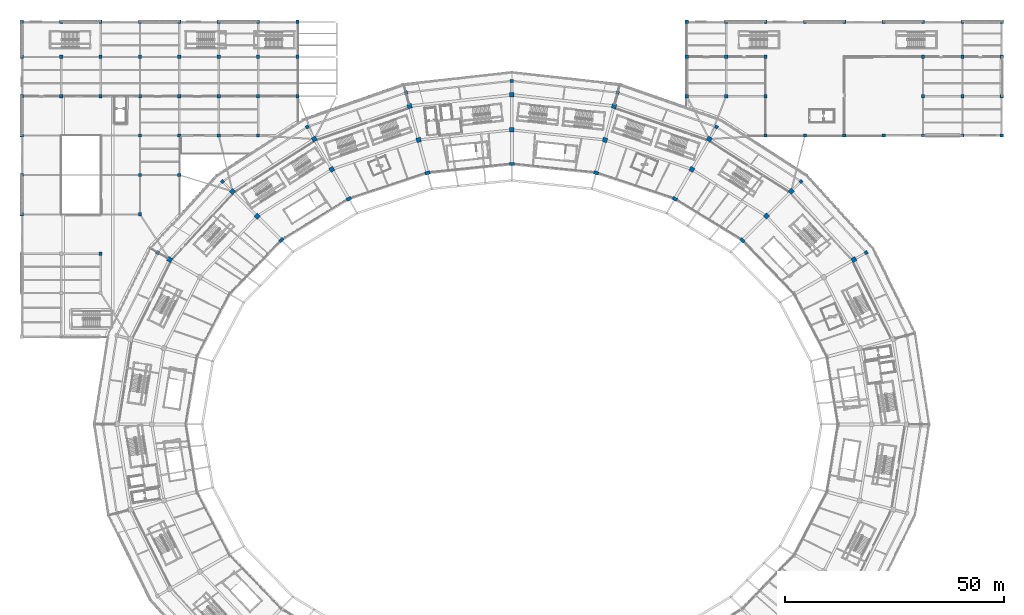
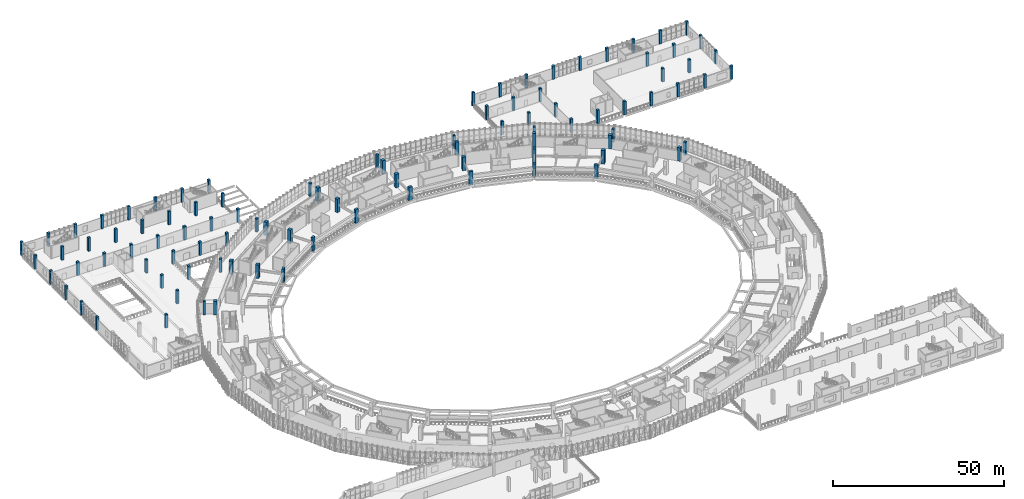
# One storey, part 2 of 179: 95 columns.
"""IFC4 building model written with IfcOpenShell, lengths in metres."""

from ifc_helpers import new_model, si_unit, direction, frame, origin, origin_2d, place, context, subcontext, project, spatial, rectangle, extrude, material, material_profile, profile_set, type_object, element, save


model = new_model("IFC4")

# Units and contexts
model_context = context("Model", 3, precision=1e-05, world=origin(), true_north=direction((0.0, 1.0)))
body_context = subcontext(model_context, "Body", "Model", "MODEL_VIEW")
ifc_project = project(units=[si_unit("LENGTHUNIT", "METRE"), si_unit("AREAUNIT", "SQUARE_METRE"), si_unit("VOLUMEUNIT", "CUBIC_METRE"), si_unit("PLANEANGLEUNIT", "RADIAN"), si_unit("MASSUNIT", "GRAM", prefix="KILO")], contexts=[model_context])

# Site, building, storey
site_placement = place(None, origin())
site = spatial("IfcSite", under=ifc_project, at=site_placement, CompositionType="ELEMENT")
building_placement = place(site_placement, origin())
building = spatial("IfcBuilding", under=site, at=building_placement, Name="Zevraka Park Crest Stadium", CompositionType="ELEMENT")
storey_placement = place(building_placement, frame((0.0, 0.0, 10.199951171875)))
storey = spatial("IfcBuildingStorey", under=building, at=storey_placement, Name="L02", CompositionType="ELEMENT", Elevation=10.199951171875)

# Columns
ifc_material_1 = material(Name="Concrete C40/50", Category="concrete")
ifc_material_profile_1 = material_profile(ifc_material_1, rectangle(XDim=1.050048828125, YDim=1.050048828125, at=origin_2d()), Name="RC 1050x1050")
ifc_profile_set_1 = profile_set([ifc_material_profile_1], Name="Concrete C40/50")
column_type_1 = type_object("IfcColumnType", Name="C03", PredefinedType="COLUMN", material=ifc_profile_set_1)
for number, where, z_axis, x_axis, name in (
    (1, (190.201904296875, 129.64990234375, 0.0), (0.0, 0.0, 1.0), (0.866025403784, 0.5, 0.0), "Perimeter Ring Column C03 L02-D-02"),
    (2, (175.85205078125, 145.2451171875, 0.0), (0.0, 0.0, 1.0), (0.707106781187, 0.707106781187, 0.0), "Perimeter Ring Column C03 L02-D-03"),
    (3, (170.195068359375, 139.587890625, 0.0), (0.0, 0.0, 1.0), (0.707106781187, 0.707106781187, 0.0), "Concourse Mid Column C03 L02-C-03"),
    (4, (157.14990234375, 157.2119140625, 0.0), (0.0, 0.0, 1.0), (0.5, 0.866025403784, 0.0), "Perimeter Ring Column C03 L02-D-04"),
    (5, (153.14990234375, 150.283935546875, 0.0), (0.0, 0.0, 1.0), (0.5, 0.866025403784, 0.0), "Concourse Mid Column C03 L02-C-04"),
    (6, (135.37109375, 164.73388671875, 0.0), (0.0, 0.0, 1.0), (0.258819045103, 0.965925826289, 0.0), "Perimeter Ring Column C03 L02-D-05"),
    (7, (133.301025390625, 157.007080078125, 0.0), (0.0, 0.0, 1.0), (0.258819045103, 0.965925826289, 0.0), "Concourse Mid Column C03 L02-C-05"),
    (8, (112.0, 167.300048828125, 0.0), (0.0, 0.0, 1.0), (0.0, 1.0, 0.0), "Perimeter Ring Column C03 L02-D-06"),
    (9, (112.0, 159.300048828125, 0.0), (0.0, 0.0, 1.0), (0.0, 1.0, 0.0), "Concourse Mid Column C03 L02-C-06"),
    (10, (88.62890625, 164.73388671875, 0.0), (0.0, 0.0, 1.0), (-0.258819045103, 0.965925826289, 0.0), "Perimeter Ring Column C03 L02-D-07"),
    (11, (90.698974609375, 157.007080078125, 0.0), (0.0, 0.0, 1.0), (-0.258819045103, 0.965925826289, 0.0), "Concourse Mid Column C03 L02-C-07"),
    (12, (66.85009765625, 157.2119140625, 0.0), (0.0, 0.0, 1.0), (-0.5, 0.866025403784, 0.0), "Perimeter Ring Column C03 L02-D-08"),
    (13, (70.85009765625, 150.283935546875, 0.0), (0.0, 0.0, 1.0), (-0.5, 0.866025403784, 0.0), "Concourse Mid Column C03 L02-C-08"),
    (14, (48.14794921875, 145.2451171875, 0.0), (0.0, 0.0, 1.0), (-0.707106781187, 0.707106781187, 0.0), "Perimeter Ring Column C03 L02-D-09"),
    (15, (53.804931640625, 139.587890625, 0.0), (0.0, 0.0, 1.0), (-0.707106781187, 0.707106781187, 0.0), "Concourse Mid Column C03 L02-C-09"),
    (16, (33.798095703125, 129.64990234375, 0.0), (0.0, 0.0, 1.0), (-0.866025403784, 0.5, 0.0), "Perimeter Ring Column C03 L02-D-10"),
):
    element("IfcColumn", number, at=place(storey_placement, frame(where, z_axis=z_axis, x_axis=x_axis)), inside=storey, type_object=column_type_1, Name=name, PredefinedType="COLUMN", context=body_context, shape_type="SweptSolid", body=[
        extrude(rectangle(XDim=1.050048828125, YDim=1.050048828125, at=origin_2d()), origin(), (0.0, 0.0, 1.0), 4.800048828125),
    ])
ifc_material_2 = material(Name="Concrete C40/50", Category="concrete")
ifc_material_profile_2 = material_profile(ifc_material_2, rectangle(XDim=0.75, YDim=0.75, at=origin_2d()), Name="RC 750x750")
ifc_profile_set_2 = profile_set([ifc_material_profile_2], Name="Concrete C40/50")
column_type_2 = type_object("IfcColumnType", Name="C05", PredefinedType="COLUMN", material=ifc_profile_set_2)
for number, where, z_axis, x_axis, name in (
    (17, (192.972900390625, 131.25, 0.0), (0.0, 0.0, 1.0), (0.866025403784, 0.5, 0.0), "Arcade Cumba Column C05 L02-E-02"),
    (18, (178.114013671875, 147.508056640625, 0.0), (0.0, 0.0, 1.0), (0.707106781187, 0.707106781187, 0.0), "Arcade Cumba Column C05 L02-E-03"),
    (19, (158.75, 159.98291015625, 0.0), (0.0, 0.0, 1.0), (0.5, 0.866025403784, 0.0), "Arcade Cumba Column C05 L02-E-04"),
    (20, (136.199951171875, 167.824951171875, 0.0), (0.0, 0.0, 1.0), (0.258819045103, 0.965925826289, 0.0), "Arcade Cumba Column C05 L02-E-05"),
    (21, (112.0, 170.5, 0.0), (0.0, 0.0, 1.0), (0.0, 1.0, 0.0), "Arcade Cumba Column C05 L02-E-06"),
    (22, (87.800048828125, 167.824951171875, 0.0), (0.0, 0.0, 1.0), (-0.258819045103, 0.965925826289, 0.0), "Arcade Cumba Column C05 L02-E-07"),
    (23, (65.25, 159.98291015625, 0.0), (0.0, 0.0, 1.0), (-0.5, 0.866025403784, 0.0), "Arcade Cumba Column C05 L02-E-08"),
    (24, (45.885986328125, 147.508056640625, 0.0), (0.0, 0.0, 1.0), (-0.707106781187, 0.707106781187, 0.0), "Arcade Cumba Column C05 L02-E-09"),
    (25, (31.027099609375, 131.25, 0.0), (0.0, 0.0, 1.0), (-0.866025403784, 0.5, 0.0), "Arcade Cumba Column C05 L02-E-10"),
    (26, (152.0, 167.0, 0.0), (0.0, 0.0, 1.0), (1.0, 0.0, 0.0), "Wing Column C05 L02-17/U"),
    (27, (152.0, 176.0, 0.0), (0.0, 0.0, 1.0), (1.0, 0.0, 0.0), "Wing Column C05 L02-17/V"),
    (28, (152.0, 184.0, 0.0), (0.0, 0.0, 1.0), (1.0, 0.0, 0.0), "Wing Column C05 L02-17/W"),
    (29, (161.0, 167.0, 0.0), (0.0, 0.0, 1.0), (1.0, 0.0, 0.0), "Wing Column C05 L02-18/U"),
    (30, (161.0, 176.0, 0.0), (0.0, 0.0, 1.0), (1.0, 0.0, 0.0), "Wing Column C05 L02-18/V"),
    (31, (161.0, 184.0, 0.0), (0.0, 0.0, 1.0), (1.0, 0.0, 0.0), "Wing Column C05 L02-18/W"),
    (32, (170.0, 158.0, 0.0), (0.0, 0.0, 1.0), (1.0, 0.0, 0.0), "Wing Column C05 L02-19/T"),
    (33, (170.0, 167.0, 0.0), (0.0, 0.0, 1.0), (1.0, 0.0, 0.0), "Wing Column C05 L02-19/U"),
    (34, (170.0, 176.0, 0.0), (0.0, 0.0, 1.0), (1.0, 0.0, 0.0), "Wing Column C05 L02-19/V"),
    (35, (170.0, 184.0, 0.0), (0.0, 0.0, 1.0), (1.0, 0.0, 0.0), "Wing Column C05 L02-19/W"),
    (36, (179.0, 158.0, 0.0), (0.0, 0.0, 1.0), (1.0, 0.0, 0.0), "Wing Column C05 L02-20/T"),
    (37, (179.0, 184.0, 0.0), (0.0, 0.0, 1.0), (1.0, 0.0, 0.0), "Wing Column C05 L02-20/W"),
    (38, (188.0, 158.0, 0.0), (0.0, 0.0, 1.0), (1.0, 0.0, 0.0), "Wing Column C05 L02-21/T"),
    (39, (188.0, 184.0, 0.0), (0.0, 0.0, 1.0), (1.0, 0.0, 0.0), "Wing Column C05 L02-21/W"),
    (40, (197.0, 158.0, 0.0), (0.0, 0.0, 1.0), (1.0, 0.0, 0.0), "Wing Column C05 L02-22/T"),
    (41, (197.0, 184.0, 0.0), (0.0, 0.0, 1.0), (1.0, 0.0, 0.0), "Wing Column C05 L02-22/W"),
    (42, (206.0, 158.0, 0.0), (0.0, 0.0, 1.0), (1.0, 0.0, 0.0), "Wing Column C05 L02-23/T"),
    (43, (206.0, 167.0, 0.0), (0.0, 0.0, 1.0), (1.0, 0.0, 0.0), "Wing Column C05 L02-23/U"),
    (44, (206.0, 176.0, 0.0), (0.0, 0.0, 1.0), (1.0, 0.0, 0.0), "Wing Column C05 L02-23/V"),
    (45, (206.0, 184.0, 0.0), (0.0, 0.0, 1.0), (1.0, 0.0, 0.0), "Wing Column C05 L02-23/W"),
    (46, (215.0, 158.0, 0.0), (0.0, 0.0, 1.0), (1.0, 0.0, 0.0), "Wing Column C05 L02-24/T"),
    (47, (215.0, 167.0, 0.0), (0.0, 0.0, 1.0), (1.0, 0.0, 0.0), "Wing Column C05 L02-24/U"),
    (48, (215.0, 176.0, 0.0), (0.0, 0.0, 1.0), (1.0, 0.0, 0.0), "Wing Column C05 L02-24/V"),
    (49, (215.0, 184.0, 0.0), (0.0, 0.0, 1.0), (1.0, 0.0, 0.0), "Wing Column C05 L02-24/W"),
    (50, (224.0, 158.0, 0.0), (0.0, 0.0, 1.0), (1.0, 0.0, 0.0), "Wing Column C05 L02-25/T"),
    (51, (224.0, 167.0, 0.0), (0.0, 0.0, 1.0), (1.0, 0.0, 0.0), "Wing Column C05 L02-25/U"),
    (52, (224.0, 176.0, 0.0), (0.0, 0.0, 1.0), (1.0, 0.0, 0.0), "Wing Column C05 L02-25/V"),
    (53, (224.0, 184.0, 0.0), (0.0, 0.0, 1.0), (1.0, 0.0, 0.0), "Wing Column C05 L02-25/W"),
    (54, (0.0, 140.0, 0.0), (0.0, 0.0, 1.0), (1.0, 0.0, 0.0), "Wing Column C05 L02-1/R"),
    (55, (0.0, 149.0, 0.0), (0.0, 0.0, 1.0), (1.0, 0.0, 0.0), "Wing Column C05 L02-1/S"),
    (56, (0.0, 158.0, 0.0), (0.0, 0.0, 1.0), (1.0, 0.0, 0.0), "Wing Column C05 L02-1/T"),
    (57, (0.0, 167.0, 0.0), (0.0, 0.0, 1.0), (1.0, 0.0, 0.0), "Wing Column C05 L02-1/U"),
    (58, (0.0, 176.0, 0.0), (0.0, 0.0, 1.0), (1.0, 0.0, 0.0), "Wing Column C05 L02-1/V"),
    (59, (0.0, 184.0, 0.0), (0.0, 0.0, 1.0), (1.0, 0.0, 0.0), "Wing Column C05 L02-1/W"),
    (60, (9.0, 167.0, 0.0), (0.0, 0.0, 1.0), (1.0, 0.0, 0.0), "Wing Column C05 L02-2/U"),
    (61, (9.0, 176.0, 0.0), (0.0, 0.0, 1.0), (1.0, 0.0, 0.0), "Wing Column C05 L02-2/V"),
    (62, (9.0, 184.0, 0.0), (0.0, 0.0, 1.0), (1.0, 0.0, 0.0), "Wing Column C05 L02-2/W"),
    (63, (18.0, 131.0, 0.0), (0.0, 0.0, 1.0), (1.0, 0.0, 0.0), "Wing Column C05 L02-3/Q"),
    (64, (18.0, 167.0, 0.0), (0.0, 0.0, 1.0), (1.0, 0.0, 0.0), "Wing Column C05 L02-3/U"),
    (65, (18.0, 176.0, 0.0), (0.0, 0.0, 1.0), (1.0, 0.0, 0.0), "Wing Column C05 L02-3/V"),
    (66, (18.0, 184.0, 0.0), (0.0, 0.0, 1.0), (1.0, 0.0, 0.0), "Wing Column C05 L02-3/W"),
    (67, (27.0, 140.0, 0.0), (0.0, 0.0, 1.0), (1.0, 0.0, 0.0), "Wing Column C05 L02-4/R"),
    (68, (27.0, 149.0, 0.0), (0.0, 0.0, 1.0), (1.0, 0.0, 0.0), "Wing Column C05 L02-4/S"),
    (69, (27.0, 158.0, 0.0), (0.0, 0.0, 1.0), (1.0, 0.0, 0.0), "Wing Column C05 L02-4/T"),
    (70, (27.0, 167.0, 0.0), (0.0, 0.0, 1.0), (1.0, 0.0, 0.0), "Wing Column C05 L02-4/U"),
    (71, (27.0, 176.0, 0.0), (0.0, 0.0, 1.0), (1.0, 0.0, 0.0), "Wing Column C05 L02-4/V"),
    (72, (27.0, 184.0, 0.0), (0.0, 0.0, 1.0), (1.0, 0.0, 0.0), "Wing Column C05 L02-4/W"),
    (73, (36.0, 149.0, 0.0), (0.0, 0.0, 1.0), (1.0, 0.0, 0.0), "Wing Column C05 L02-5/S"),
    (74, (36.0, 158.0, 0.0), (0.0, 0.0, 1.0), (1.0, 0.0, 0.0), "Wing Column C05 L02-5/T"),
    (75, (36.0, 167.0, 0.0), (0.0, 0.0, 1.0), (1.0, 0.0, 0.0), "Wing Column C05 L02-5/U"),
    (76, (36.0, 176.0, 0.0), (0.0, 0.0, 1.0), (1.0, 0.0, 0.0), "Wing Column C05 L02-5/V"),
    (77, (36.0, 184.0, 0.0), (0.0, 0.0, 1.0), (1.0, 0.0, 0.0), "Wing Column C05 L02-5/W"),
    (78, (45.0, 158.0, 0.0), (0.0, 0.0, 1.0), (1.0, 0.0, 0.0), "Wing Column C05 L02-6/T"),
    (79, (45.0, 167.0, 0.0), (0.0, 0.0, 1.0), (1.0, 0.0, 0.0), "Wing Column C05 L02-6/U"),
    (80, (45.0, 176.0, 0.0), (0.0, 0.0, 1.0), (1.0, 0.0, 0.0), "Wing Column C05 L02-6/V"),
    (81, (45.0, 184.0, 0.0), (0.0, 0.0, 1.0), (1.0, 0.0, 0.0), "Wing Column C05 L02-6/W"),
    (82, (54.0, 158.0, 0.0), (0.0, 0.0, 1.0), (1.0, 0.0, 0.0), "Wing Column C05 L02-7/T"),
    (83, (54.0, 167.0, 0.0), (0.0, 0.0, 1.0), (1.0, 0.0, 0.0), "Wing Column C05 L02-7/U"),
    (84, (54.0, 176.0, 0.0), (0.0, 0.0, 1.0), (1.0, 0.0, 0.0), "Wing Column C05 L02-7/V"),
    (85, (54.0, 184.0, 0.0), (0.0, 0.0, 1.0), (1.0, 0.0, 0.0), "Wing Column C05 L02-7/W"),
    (86, (63.0, 167.0, 0.0), (0.0, 0.0, 1.0), (1.0, 0.0, 0.0), "Wing Column C05 L02-8/U"),
    (87, (63.0, 176.0, 0.0), (0.0, 0.0, 1.0), (1.0, 0.0, 0.0), "Wing Column C05 L02-8/V"),
    (88, (63.0, 184.0, 0.0), (0.0, 0.0, 1.0), (1.0, 0.0, 0.0), "Wing Column C05 L02-8/W"),
):
    element("IfcColumn", number, at=place(storey_placement, frame(where, z_axis=z_axis, x_axis=x_axis)), inside=storey, type_object=column_type_2, Name=name, PredefinedType="COLUMN", context=body_context, shape_type="SweptSolid", body=[
        extrude(rectangle(XDim=0.75, YDim=0.75, at=origin_2d()), origin(), (0.0, 0.0, 1.0), 4.800048828125),
    ])
ifc_material_3 = material(Name="Concrete C40/50", Category="concrete")
ifc_material_profile_3 = material_profile(ifc_material_3, rectangle(XDim=0.75, YDim=1.14990234375, at=origin_2d()), Name="RC 1150x750")
ifc_profile_set_3 = profile_set([ifc_material_profile_3], Name="Concrete C40/50")
column_type_3 = type_object("IfcColumnType", Name="C10", PredefinedType="COLUMN", material=ifc_profile_set_3)
for number, where, z_axis, x_axis, name in (
    (89, (164.678955078125, 134.072998046875, 0.0), (0.0, 0.0, 1.0), (0.707106781187, 0.707106781187, 0.0), "Bowl Main Column C10 L02-B-03"),
    (90, (149.25, 143.529052734375, 0.0), (0.0, 0.0, 1.0), (0.5, 0.866025403784, 0.0), "Bowl Main Column C10 L02-B-04"),
    (91, (131.281982421875, 149.472900390625, 0.0), (0.0, 0.0, 1.0), (0.258819045103, 0.965925826289, 0.0), "Bowl Main Column C10 L02-B-05"),
    (92, (112.0, 151.5, 0.0), (0.0, 0.0, 1.0), (0.0, 1.0, 0.0), "Bowl Main Column C10 L02-B-06"),
    (93, (92.718017578125, 149.472900390625, 0.0), (0.0, 0.0, 1.0), (-0.258819045103, 0.965925826289, 0.0), "Bowl Main Column C10 L02-B-07"),
    (94, (74.75, 143.529052734375, 0.0), (0.0, 0.0, 1.0), (-0.5, 0.866025403784, 0.0), "Bowl Main Column C10 L02-B-08"),
    (95, (59.321044921875, 134.072998046875, 0.0), (0.0, 0.0, 1.0), (-0.707106781187, 0.707106781187, 0.0), "Bowl Main Column C10 L02-B-09"),
):
    element("IfcColumn", number, at=place(storey_placement, frame(where, z_axis=z_axis, x_axis=x_axis)), inside=storey, type_object=column_type_3, Name=name, PredefinedType="COLUMN", context=body_context, shape_type="SweptSolid", body=[
        extrude(rectangle(XDim=0.75, YDim=1.14990234375, at=origin_2d()), origin(), (0.0, 0.0, 1.0), 4.800048828125),
    ])

save(model, "model.ifc")
